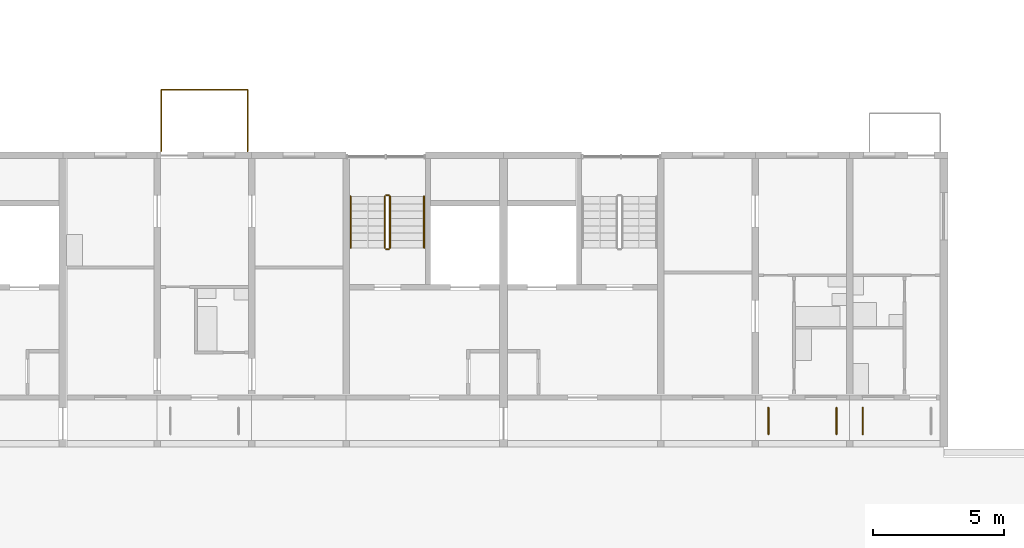
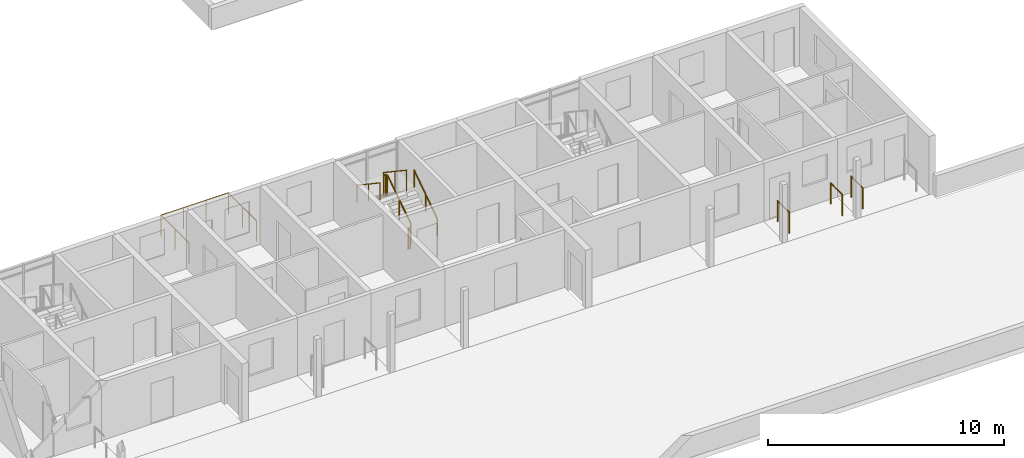
# One storey, part 96 of 115: 10 railings.
"""IFC4 building model written with IfcOpenShell, lengths in metres."""

from ifc_helpers import new_model, si_unit, direction, frame, origin, origin_2d, place, context, subcontext, project, spatial, circle, extrude, material, type_object, element, save


model = new_model("IFC4")

# Units and contexts
model_context = context("Model", 3, precision=1e-05, world=origin(), true_north=direction((0.0, 1.0)))
body_context = subcontext(model_context, "Body", "Model", "MODEL_VIEW")
ifc_project = project(units=[si_unit("LENGTHUNIT", "METRE"), si_unit("AREAUNIT", "SQUARE_METRE"), si_unit("VOLUMEUNIT", "CUBIC_METRE"), si_unit("PLANEANGLEUNIT", "RADIAN"), si_unit("MASSUNIT", "GRAM", prefix="KILO")], contexts=[model_context])

# Site, building, storey
site_placement = place(None, origin())
site = spatial("IfcSite", under=ifc_project, at=site_placement, CompositionType="ELEMENT")
building_placement = place(site_placement, origin())
building = spatial("IfcBuilding", under=site, at=building_placement, Name="Ridgestep Commons", CompositionType="ELEMENT")
storey_placement = place(building_placement, frame((0.0, 0.0, 6.0)))
storey = spatial("IfcBuildingStorey", under=building, at=storey_placement, Name="L02", CompositionType="ELEMENT", Elevation=6.0)

# Railings
ifc_material_1 = material(Name="Structural steel S355JR", Category="steel")
railing_type_1 = type_object("IfcRailingType", Name="Guard 1100", PredefinedType="GUARDRAIL", material=ifc_material_1)
for number, where, name in (
    (1, (106.10009765625, 12.25, 0.0), "Gallery side guard A 02.23W"),
    (2, (108.699951171875, 12.25, 0.0), "Gallery side guard A 02.23E"),
    (3, (109.699951171875, 12.25, 0.0), "Gallery side guard A 02.24W"),
):
    element("IfcRailing", number, at=place(storey_placement, frame(where)), inside=storey, type_object=railing_type_1, Name=name, PredefinedType="GUARDRAIL", context=body_context, shape_type="SweptSolid", body=[
        extrude(circle(Radius=0.02392578125, at=origin_2d()), frame((0.0, 0.0, 1.076171875), z_axis=(0.0, 1.0, 0.0), x_axis=(-1.0, 0.0, 0.0)), (0.0, 0.0, 1.0), 1.0),
        extrude(circle(Radius=0.02099609375, at=origin_2d()), origin(), (0.0, 0.0, 1.0), 1.052001953125),
        extrude(circle(Radius=0.02099609375, at=origin_2d()), frame((0.0, 1.0, 0.0)), (0.0, 0.0, 1.0), 1.052001953125),
    ])
ifc_material_2 = material(Name="Structural steel S355JR", Category="steel")
railing_type_2 = type_object("IfcRailingType", Name="Stair guard 1100", PredefinedType="GUARDRAIL", material=ifc_material_2)
railing_1_placement = place(storey_placement, frame((91.675048828125, 19.35009765625, 0.1875)))
element("IfcRailing", 4, at=railing_1_placement, inside=storey, type_object=railing_type_2, Name="L02 A5C stair guard 1", PredefinedType="GUARDRAIL", context=body_context, shape_type="SweptSolid", body=[
    extrude(circle(Radius=0.02392578125, at=origin_2d()), frame((0.0, 0.0, 1.076171875), z_axis=(0.0, 0.830902050051, 0.556418712142), x_axis=(-1.0, 0.0, 0.0)), (0.0, 0.0, 1.0), 2.35888671875),
    extrude(circle(Radius=0.02099609375, at=origin_2d()), origin(), (0.0, 0.0, 1.0), 1.052001953125),
    extrude(circle(Radius=0.02099609375, at=origin_2d()), frame((0.0, 0.97998046875, 0.65625)), (0.0, 0.0, 1.0), 1.052001953125),
    extrude(circle(Radius=0.02099609375, at=origin_2d()), frame((0.0, 1.9599609375, 1.3125)), (0.0, 0.0, 1.0), 1.052001953125),
])
railing_2_placement = place(storey_placement, frame((91.625, 21.360107421875, 1.5)))
element("IfcRailing", 5, at=railing_2_placement, inside=storey, type_object=railing_type_2, Name="L02 A5C stair guard 2", PredefinedType="GUARDRAIL", context=body_context, shape_type="SweptSolid", body=[
    extrude(circle(Radius=0.02392578125, at=origin_2d()), frame((0.0, 0.0, 1.076171875), z_axis=(-1.0, 0.0, 0.0), x_axis=(0.0, -1.0, 0.0)), (0.0, 0.0, 1.0), 0.10009765625),
    extrude(circle(Radius=0.02099609375, at=origin_2d()), origin(), (0.0, 0.0, 1.0), 1.052001953125),
    extrude(circle(Radius=0.02099609375, at=origin_2d()), frame((-0.10009765625, 0.0, 0.0)), (0.0, 0.0, 1.0), 1.052001953125),
])
railing_3_placement = place(storey_placement, frame((91.47509765625, 21.31005859375, 1.6875)))
element("IfcRailing", 6, at=railing_3_placement, inside=storey, type_object=railing_type_2, Name="L02 A5C stair guard 3", PredefinedType="GUARDRAIL", context=body_context, shape_type="SweptSolid", body=[
    extrude(circle(Radius=0.02392578125, at=origin_2d()), frame((0.0, 0.0, 1.076171875), z_axis=(0.0, -0.830902050051, 0.556418712142), x_axis=(1.0, 0.0, 0.0)), (0.0, 0.0, 1.0), 2.35888671875),
    extrude(circle(Radius=0.02099609375, at=origin_2d()), origin(), (0.0, 0.0, 1.0), 1.052001953125),
    extrude(circle(Radius=0.02099609375, at=origin_2d()), frame((0.0, -0.97998046875, 0.65625)), (0.0, 0.0, 1.0), 1.052001953125),
    extrude(circle(Radius=0.02099609375, at=origin_2d()), frame((0.0, -1.9599609375, 1.3125)), (0.0, 0.0, 1.0), 1.052001953125),
])
railing_4_placement = place(storey_placement, frame((91.625, 19.300048828125, 0.0)))
element("IfcRailing", 7, at=railing_4_placement, inside=storey, type_object=railing_type_2, Name="L02 A5C stair guard 4", PredefinedType="GUARDRAIL", context=body_context, shape_type="SweptSolid", body=[
    extrude(circle(Radius=0.02392578125, at=origin_2d()), frame((0.0, 0.0, 1.076171875), z_axis=(-1.0, 0.0, 0.0), x_axis=(0.0, -1.0, 0.0)), (0.0, 0.0, 1.0), 0.10009765625),
    extrude(circle(Radius=0.02099609375, at=origin_2d()), origin(), (0.0, 0.0, 1.0), 1.052001953125),
    extrude(circle(Radius=0.02099609375, at=origin_2d()), frame((-0.10009765625, 0.0, 0.0)), (0.0, 0.0, 1.0), 1.052001953125),
])
ifc_material_3 = material(Name="Structural steel S355JR", Category="steel")
railing_type_3 = type_object("IfcRailingType", Name="Stair handrail 900", PredefinedType="HANDRAIL", material=ifc_material_3)
railing_5_placement = place(storey_placement, frame((92.97509765625, 19.35009765625, 0.1875)))
element("IfcRailing", 8, at=railing_5_placement, inside=storey, type_object=railing_type_3, Name="L02 A5C stair handrail 1", PredefinedType="HANDRAIL", context=body_context, shape_type="SweptSolid", body=[
    extrude(circle(Radius=0.02392578125, at=origin_2d()), frame((0.0, 0.0, 0.8759765625), z_axis=(0.0, 0.830902050051, 0.556418712142), x_axis=(-1.0, 0.0, 0.0)), (0.0, 0.0, 1.0), 2.35888671875),
    extrude(circle(Radius=0.02099609375, at=origin_2d()), origin(), (0.0, 0.0, 1.0), 0.851806640625),
    extrude(circle(Radius=0.02099609375, at=origin_2d()), frame((0.0, 0.97998046875, 0.65625)), (0.0, 0.0, 1.0), 0.851806640625),
    extrude(circle(Radius=0.02099609375, at=origin_2d()), frame((0.0, 1.9599609375, 1.3125)), (0.0, 0.0, 1.0), 0.851806640625),
])
railing_6_placement = place(storey_placement, frame((90.175048828125, 21.31005859375, 1.6875)))
element("IfcRailing", 9, at=railing_6_placement, inside=storey, type_object=railing_type_3, Name="L02 A5C stair handrail 2", PredefinedType="HANDRAIL", context=body_context, shape_type="SweptSolid", body=[
    extrude(circle(Radius=0.02392578125, at=origin_2d()), frame((0.0, 0.0, 0.8759765625), z_axis=(0.0, -0.830902050051, 0.556418712142), x_axis=(1.0, 0.0, 0.0)), (0.0, 0.0, 1.0), 2.35888671875),
    extrude(circle(Radius=0.02099609375, at=origin_2d()), origin(), (0.0, 0.0, 1.0), 0.851806640625),
    extrude(circle(Radius=0.02099609375, at=origin_2d()), frame((0.0, -0.97998046875, 0.65625)), (0.0, 0.0, 1.0), 0.851806640625),
    extrude(circle(Radius=0.02099609375, at=origin_2d()), frame((0.0, -1.9599609375, 1.3125)), (0.0, 0.0, 1.0), 0.851806640625),
])
ifc_material_4 = material(Name="Weathering steel S355J2W", Category="steel")
railing_type_4 = type_object("IfcRailingType", Name="Tray guard 1100", PredefinedType="GUARDRAIL", material=ifc_material_4)
railing_7_placement = place(storey_placement, frame((82.950927734375, 23.02099609375, 0.0)))
element("IfcRailing", 10, at=railing_7_placement, inside=storey, type_object=railing_type_4, Name="Tray guard A5T2-02", PredefinedType="GUARDRAIL", context=body_context, shape_type="SweptSolid", body=[
    extrude(circle(Radius=0.02392578125, at=origin_2d()), frame((0.0, 0.0, 1.076171875), z_axis=(0.0, 1.0, 0.0), x_axis=(-1.0, 0.0, 0.0)), (0.0, 0.0, 1.0), 2.35791015625),
    extrude(circle(Radius=0.02392578125, at=origin_2d()), frame((0.0, 2.35791015625, 1.076171875), z_axis=(1.0, 0.0, 0.0), x_axis=(0.0, 1.0, 0.0)), (0.0, 0.0, 1.0), 3.298095703125),
    extrude(circle(Radius=0.02392578125, at=origin_2d()), frame((3.298095703125, 2.35791015625, 1.076171875), z_axis=(0.0, -1.0, 0.0), x_axis=(1.0, 0.0, 0.0)), (0.0, 0.0, 1.0), 2.35791015625),
    extrude(circle(Radius=0.02099609375, at=origin_2d()), origin(), (0.0, 0.0, 1.0), 1.052001953125),
    extrude(circle(Radius=0.02099609375, at=origin_2d()), frame((0.0, 1.178955078125, 0.0)), (0.0, 0.0, 1.0), 1.052001953125),
    extrude(circle(Radius=0.02099609375, at=origin_2d()), frame((0.0, 2.35791015625, 0.0)), (0.0, 0.0, 1.0), 1.052001953125),
    extrude(circle(Radius=0.02099609375, at=origin_2d()), frame((1.099365234375, 2.35791015625, 0.0)), (0.0, 0.0, 1.0), 1.052001953125),
    extrude(circle(Radius=0.02099609375, at=origin_2d()), frame((2.19873046875, 2.35791015625, 0.0)), (0.0, 0.0, 1.0), 1.052001953125),
    extrude(circle(Radius=0.02099609375, at=origin_2d()), frame((3.298095703125, 2.35791015625, 0.0)), (0.0, 0.0, 1.0), 1.052001953125),
    extrude(circle(Radius=0.02099609375, at=origin_2d()), frame((3.298095703125, 1.178955078125, 0.0)), (0.0, 0.0, 1.0), 1.052001953125),
    extrude(circle(Radius=0.02099609375, at=origin_2d()), frame((3.298095703125, 0.0, 0.0)), (0.0, 0.0, 1.0), 1.052001953125),
])

save(model, "model.ifc")
